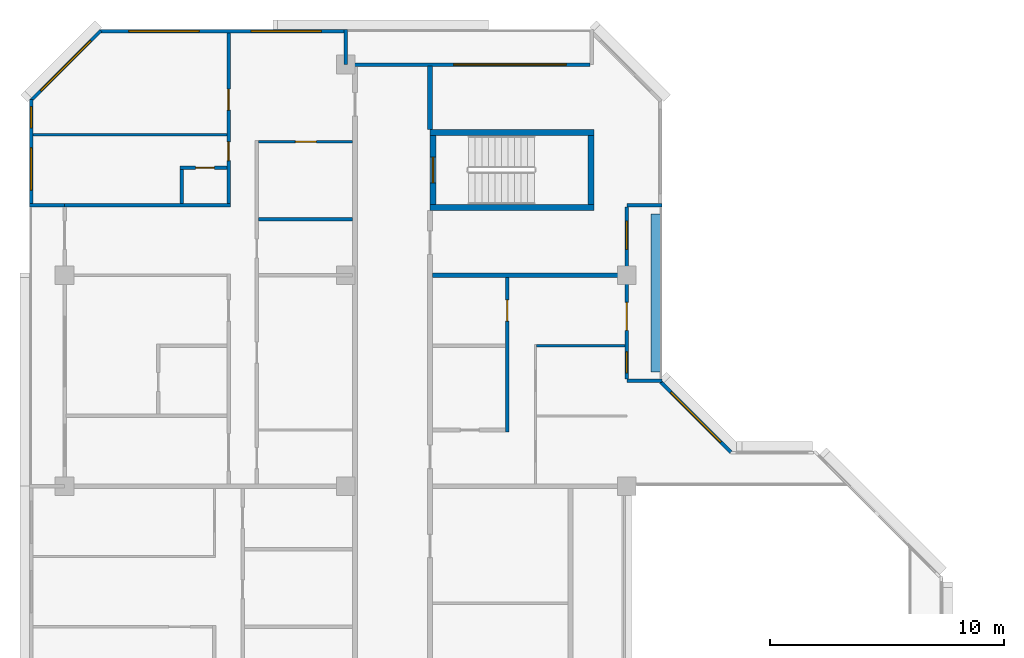
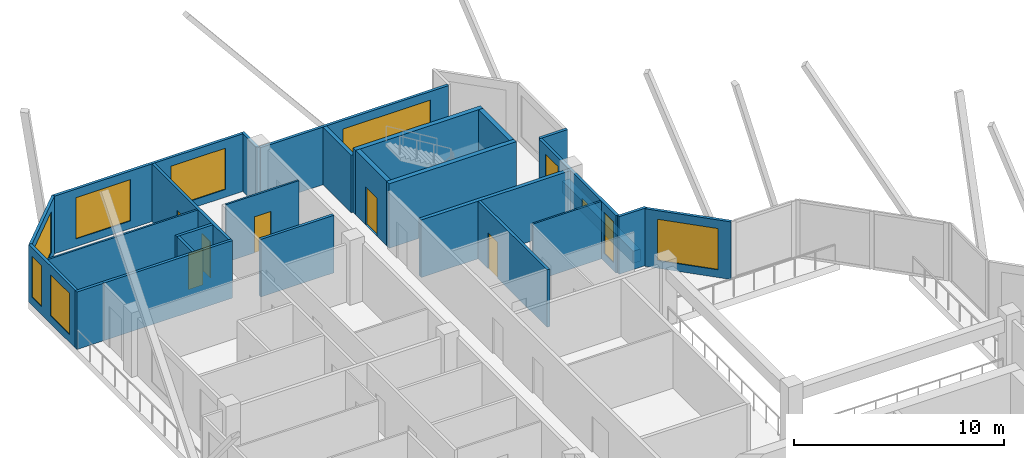
# One storey, part 10 of 13: 26 walls, 9 windows, 7 doors, 16 openings.
"""IFC4 building model written with IfcOpenShell, lengths in metres."""

from ifc_helpers import new_model, si_unit, direction, frame, frame_2d, origin, place, context, subcontext, project, spatial, rectangle, extrude, material, layer, layer_set, type_object, element, fill, save


model = new_model("IFC4")

# Units and contexts
model_context = context("Model", 3, precision=1e-05, world=origin(), true_north=direction((0.0, 1.0)))
body_context = subcontext(model_context, "Body", "Model", "MODEL_VIEW")
ifc_project = project(units=[si_unit("LENGTHUNIT", "METRE"), si_unit("AREAUNIT", "SQUARE_METRE"), si_unit("VOLUMEUNIT", "CUBIC_METRE"), si_unit("PLANEANGLEUNIT", "RADIAN"), si_unit("MASSUNIT", "GRAM", prefix="KILO")], contexts=[model_context])

# Site, building, storey
site_placement = place(None, origin())
site = spatial("IfcSite", under=ifc_project, at=site_placement, CompositionType="ELEMENT")
building_placement = place(site_placement, origin())
building = spatial("IfcBuilding", under=site, at=building_placement, Name="Chenar Terraces", CompositionType="ELEMENT")
storey_placement = place(building_placement, frame((0.0, 0.0, 310.89990234375)))
storey = spatial("IfcBuildingStorey", under=building, at=storey_placement, Name="L73", CompositionType="ELEMENT", Elevation=310.89990234375)

# Walls
ifc_material_1 = material(Name="Concrete C50/60", Category="concrete")
ifc_layer_1 = layer(ifc_material_1, 0.25)
ifc_layer_set_1 = layer_set([ifc_layer_1], Name="Concrete C50/60")
wall_type_1 = type_object("IfcWallType", Name="Core wall 250 Concrete C50/60", PredefinedType="SHEAR", material=ifc_layer_set_1)
for number, where, z_axis, x_axis, name in (
    (1, (15.60009765625, 47.89990234375, 0.0), (0.0, 0.0, 1.0), (1.0, 0.0, 0.0), "Core wall ST4_S L73"),
    (2, (15.60009765625, 51.10009765625, 0.0), (0.0, 0.0, 1.0), (1.0, 0.0, 0.0), "Core wall ST4_N L73"),
):
    element("IfcWall", number, at=place(storey_placement, frame(where, z_axis=z_axis, x_axis=x_axis)), inside=storey, type_object=wall_type_1, Name=name, PredefinedType="SHEAR", context=body_context, shape_type="SweptSolid", body=[
        extrude(rectangle(XDim=7.0, YDim=0.25, at=frame_2d((3.5, 0.0))), origin(), (0.0, 0.0, 1.0), 3.75),
    ])

# Wall, opening, door
wall_1_placement = place(storey_placement, frame((15.72509765625, 48.02490234375, 0.0), z_axis=(0.0, 0.0, 1.0), x_axis=(0.0, 1.0, 0.0)))
wall_1 = element("IfcWall", 3, at=wall_1_placement, inside=storey, type_object=wall_type_1, Name="Core wall ST4_W L73", PredefinedType="SHEAR", context=body_context, shape_type="SweptSolid", body=[
    extrude(rectangle(XDim=2.9501953125, YDim=0.25, at=frame_2d((1.47509765625, 0.0))), origin(), (0.0, 0.0, 1.0), 3.75),
])
opening_1_placement = place(wall_1_placement, frame((0.925048828125, 0.0, 0.0)))
opening_1 = element("IfcOpeningElement", 4, at=opening_1_placement, cuts=wall_1, Name="Opening DL73-C9", PredefinedType="OPENING", context=body_context, shape_type="SweptSolid", body=[
    extrude(rectangle(XDim=1.10009765625, YDim=2.199951171875, at=frame_2d((0.550048828125, 1.10009765625))), frame((0.0, 0.135009765625, 0.0), z_axis=(0.0, -1.0, 0.0), x_axis=(1.0, 0.0, 0.0)), (0.0, 0.0, 1.0), 0.27001953125),
])
ifc_material_2 = material(Name="Steel-framed fire-resisting door leaf", Category="steel")
door_type_1 = type_object("IfcDoorType", Name="Stair fire door FD60 1100 x 2200", OperationType="SINGLE_SWING_LEFT", PredefinedType="DOOR", material=ifc_material_2)
door_1_placement = place(opening_1_placement, frame((1.10009765625, 0.0, 0.0), z_axis=(0.0, 0.0, 1.0), x_axis=(-1.0, 0.0, 0.0)))
door_1 = element("IfcDoor", 5, at=door_1_placement, inside=storey, type_object=door_type_1, Name="Stair door DL73-C9", OperationType="SINGLE_SWING_RIGHT", OverallHeight=2.199951171875, OverallWidth=1.10009765625, PredefinedType="DOOR", context=body_context, shape_type="SweptSolid", body=[
    extrude(rectangle(XDim=1.10009765625, YDim=2.199951171875, at=frame_2d((0.550048828125, 1.10009765625))), frame((0.0, 0.02490234375, 0.0), z_axis=(0.0, -1.0, 0.0), x_axis=(1.0, 0.0, 0.0)), (0.0, 0.0, 1.0), 0.050048828125),
])
fill(opening_1, door_1)

# Walls
wall_2_placement = place(storey_placement, frame((22.47509765625, 48.02490234375, 0.0), z_axis=(0.0, 0.0, 1.0), x_axis=(0.0, 1.0, 0.0)))
element("IfcWall", 6, at=wall_2_placement, inside=storey, type_object=wall_type_1, Name="Core wall ST4_E L73", PredefinedType="SHEAR", context=body_context, shape_type="SweptSolid", body=[
    extrude(rectangle(XDim=2.9501953125, YDim=0.25, at=frame_2d((1.47509765625, 0.0))), origin(), (0.0, 0.0, 1.0), 3.75),
])
ifc_material_3 = material(Name="Gypsum board on steel studs with fire boards", Category="steel")
ifc_layer_2 = layer(ifc_material_3, 0.199951171875)
ifc_layer_set_2 = layer_set([ifc_layer_2], Name="Gypsum board on steel studs with fire boards")
wall_type_2 = type_object("IfcWallType", Name="Corridor wall 200", PredefinedType="PARTITIONING", material=ifc_layer_set_2)
wall_3_placement = place(storey_placement, frame((15.60009765625, 51.22509765625, 0.0), z_axis=(0.0, 0.0, 1.0), x_axis=(0.0, 1.0, 0.0)))
element("IfcWall", 7, at=wall_3_placement, inside=storey, type_object=wall_type_2, Name="Partition L73-037", PredefinedType="PARTITIONING", context=body_context, shape_type="SweptSolid", body=[
    extrude(rectangle(XDim=2.700927734375, YDim=0.199951171875, at=frame_2d((1.3505859375, 0.0))), origin(), (0.0, 0.0, 1.0), 3.35009765625),
])

# Wall, openings, windows
ifc_material_4 = material(Name="Aluminium framed glazing", Category="aluminium")
ifc_layer_3 = layer(ifc_material_4, 0.14990234375)
ifc_layer_set_3 = layer_set([ifc_layer_3], Name="Aluminium framed glazing")
wall_type_3 = type_object("IfcWallType", Name="Glazed flush facade wall 150", PredefinedType="SOLIDWALL", material=ifc_layer_set_3)
wall_4_placement = place(storey_placement, frame((11.925048828125, 55.425048828125, 0.0), z_axis=(0.0, 0.0, 1.0), x_axis=(-1.0, 0.0, 0.0)))
wall_4 = element("IfcWall", 8, at=wall_4_placement, inside=storey, type_object=wall_type_3, Name="Glazed flush facade wall", PredefinedType="SOLIDWALL", context=body_context, shape_type="SweptSolid", body=[
    extrude(rectangle(XDim=10.425048828125, YDim=0.14990234375, at=frame_2d((5.21240234375, 0.0))), origin(), (0.0, 0.0, 1.0), 3.35009765625),
])
opening_2_placement = place(wall_4_placement, frame((0.96240234375, 0.0, 0.449951171875)))
opening_2 = element("IfcOpeningElement", 9, at=opening_2_placement, cuts=wall_4, Name="Opening W300x240", PredefinedType="OPENING", context=body_context, shape_type="SweptSolid", body=[
    extrude(rectangle(XDim=3.0, YDim=2.39990234375, at=frame_2d((1.5, 1.199951171875))), frame((0.0, 0.0849609375, 0.0), z_axis=(0.0, -1.0, 0.0), x_axis=(1.0, 0.0, 0.0)), (0.0, 0.0, 1.0), 0.169921875),
])
opening_3_placement = place(wall_4_placement, frame((6.175048828125, 0.0, 0.449951171875)))
opening_3 = element("IfcOpeningElement", 10, at=opening_3_placement, cuts=wall_4, Name="Opening W300x240", PredefinedType="OPENING", context=body_context, shape_type="SweptSolid", body=[
    extrude(rectangle(XDim=3.0, YDim=2.39990234375, at=frame_2d((1.5, 1.199951171875))), frame((0.0, 0.0849609375, 0.0), z_axis=(0.0, -1.0, 0.0), x_axis=(1.0, 0.0, 0.0)), (0.0, 0.0, 1.0), 0.169921875),
])
ifc_material_5 = material(Name="Low emissivity double glazing, aluminium frame", Category="aluminium")
window_type_1 = type_object("IfcWindowType", Name="Fixed light 3000 x 2400", PartitioningType="SINGLE_PANEL", PredefinedType="WINDOW", material=ifc_material_5)
window_1_placement = place(opening_2_placement, origin())
window_1 = element("IfcWindow", 11, at=window_1_placement, inside=storey, type_object=window_type_1, Name="Window", OverallHeight=2.39990234375, OverallWidth=3.0, PartitioningType="SINGLE_PANEL", PredefinedType="WINDOW", context=body_context, shape_type="SweptSolid", body=[
    extrude(rectangle(XDim=3.0, YDim=2.39990234375, at=frame_2d((1.5, 1.199951171875))), frame((0.0, 0.030029296875, 0.0), z_axis=(0.0, -1.0, 0.0), x_axis=(1.0, 0.0, 0.0)), (0.0, 0.0, 1.0), 0.06005859375),
])
fill(opening_2, window_1)
window_2_placement = place(opening_3_placement, origin())
window_2 = element("IfcWindow", 12, at=window_2_placement, inside=storey, type_object=window_type_1, Name="Window", OverallHeight=2.39990234375, OverallWidth=3.0, PartitioningType="SINGLE_PANEL", PredefinedType="WINDOW", context=body_context, shape_type="SweptSolid", body=[
    extrude(rectangle(XDim=3.0, YDim=2.39990234375, at=frame_2d((1.5, 1.199951171875))), frame((0.0, 0.030029296875, 0.0), z_axis=(0.0, -1.0, 0.0), x_axis=(1.0, 0.0, 0.0)), (0.0, 0.0, 1.0), 0.06005859375),
])
fill(opening_3, window_2)

wall_5_placement = place(storey_placement, frame((-1.425048828125, 52.5, 0.0), z_axis=(0.0, 0.0, 1.0), x_axis=(0.0, -1.0, 0.0)))
wall_5 = element("IfcWall", 13, at=wall_5_placement, inside=storey, type_object=wall_type_3, Name="Glazed flush facade wall", PredefinedType="SOLIDWALL", context=body_context, shape_type="SweptSolid", body=[
    extrude(rectangle(XDim=4.425048828125, YDim=0.14990234375, at=frame_2d((2.21240234375, 0.0))), origin(), (0.0, 0.0, 1.0), 3.35009765625),
])
opening_4_placement = place(wall_5_placement, frame((0.300048828125, 0.0, 0.449951171875)))
opening_4 = element("IfcOpeningElement", 14, at=opening_4_placement, cuts=wall_5, Name="Opening W90x240", PredefinedType="OPENING", context=body_context, shape_type="SweptSolid", body=[
    extrude(rectangle(XDim=0.89990234375, YDim=2.39990234375, at=frame_2d((0.449951171875, 1.199951171875))), frame((0.0, 0.0849609375, 0.0), z_axis=(0.0, -1.0, 0.0), x_axis=(1.0, 0.0, 0.0)), (0.0, 0.0, 1.0), 0.169921875),
])
opening_5_placement = place(wall_5_placement, frame((2.0625, 0.0, 0.449951171875)))
opening_5 = element("IfcOpeningElement", 15, at=opening_5_placement, cuts=wall_5, Name="Opening W180x240", PredefinedType="OPENING", context=body_context, shape_type="SweptSolid", body=[
    extrude(rectangle(XDim=1.800048828125, YDim=2.39990234375, at=frame_2d((0.89990234375, 1.199951171875))), frame((0.0, 0.0849609375, 0.0), z_axis=(0.0, -1.0, 0.0), x_axis=(1.0, 0.0, 0.0)), (0.0, 0.0, 1.0), 0.169921875),
])
ifc_material_6 = material(Name="Low emissivity double glazing, aluminium frame", Category="aluminium")
window_type_2 = type_object("IfcWindowType", Name="Fixed light 1800 x 2400", PartitioningType="SINGLE_PANEL", PredefinedType="WINDOW", material=ifc_material_6)
window_3_placement = place(opening_5_placement, origin())
window_3 = element("IfcWindow", 16, at=window_3_placement, inside=storey, type_object=window_type_2, Name="Window", OverallHeight=2.39990234375, OverallWidth=1.800048828125, PartitioningType="SINGLE_PANEL", PredefinedType="WINDOW", context=body_context, shape_type="SweptSolid", body=[
    extrude(rectangle(XDim=1.800048828125, YDim=2.39990234375, at=frame_2d((0.89990234375, 1.199951171875))), frame((0.0, 0.030029296875, 0.0), z_axis=(0.0, -1.0, 0.0), x_axis=(1.0, 0.0, 0.0)), (0.0, 0.0, 1.0), 0.06005859375),
])
fill(opening_5, window_3)
ifc_material_7 = material(Name="Low emissivity double glazing, aluminium frame", Category="aluminium")
window_type_3 = type_object("IfcWindowType", Name="Fixed light 900 x 2400", PartitioningType="SINGLE_PANEL", PredefinedType="WINDOW", material=ifc_material_7)
window_4_placement = place(opening_4_placement, origin())
window_4 = element("IfcWindow", 17, at=window_4_placement, inside=storey, type_object=window_type_3, Name="Window", OverallHeight=2.39990234375, OverallWidth=0.89990234375, PartitioningType="SINGLE_PANEL", PredefinedType="WINDOW", context=body_context, shape_type="SweptSolid", body=[
    extrude(rectangle(XDim=0.89990234375, YDim=2.39990234375, at=frame_2d((0.449951171875, 1.199951171875))), frame((0.0, 0.030029296875, 0.0), z_axis=(0.0, -1.0, 0.0), x_axis=(1.0, 0.0, 0.0)), (0.0, 0.0, 1.0), 0.06005859375),
])
fill(opening_4, window_4)

# Wall, openings, windows, door
ifc_material_8 = material(Name="Aluminium framed glazing", Category="aluminium")
ifc_layer_4 = layer(ifc_material_8, 0.14990234375)
ifc_layer_set_4 = layer_set([ifc_layer_4], Name="Aluminium framed glazing")
wall_type_4 = type_object("IfcWallType", Name="Glazed loggia back wall 150", PredefinedType="SOLIDWALL", material=ifc_layer_set_4)
wall_6_placement = place(storey_placement, frame((24.0, 40.574951171875, 0.0), z_axis=(0.0, 0.0, 1.0), x_axis=(0.0, 1.0, 0.0)))
wall_6 = element("IfcWall", 18, at=wall_6_placement, inside=storey, type_object=wall_type_4, Name="Glazed loggia back wall", PredefinedType="SOLIDWALL", context=body_context, shape_type="SweptSolid", body=[
    extrude(rectangle(XDim=7.35009765625, YDim=0.14990234375, at=frame_2d((3.675048828125, 0.0))), origin(), (0.0, 0.0, 1.0), 3.35009765625),
])
opening_6_placement = place(wall_6_placement, frame((0.262451171875, 0.0, 0.449951171875)))
opening_6 = element("IfcOpeningElement", 19, at=opening_6_placement, cuts=wall_6, Name="Opening W90x240", PredefinedType="OPENING", context=body_context, shape_type="SweptSolid", body=[
    extrude(rectangle(XDim=0.89990234375, YDim=2.39990234375, at=frame_2d((0.449951171875, 1.199951171875))), frame((0.0, 0.0849609375, 0.0), z_axis=(0.0, -1.0, 0.0), x_axis=(1.0, 0.0, 0.0)), (0.0, 0.0, 1.0), 0.169921875),
])
opening_7_placement = place(wall_6_placement, frame((2.074951171875, 0.0, 0.0)))
opening_7 = element("IfcOpeningElement", 20, at=opening_7_placement, cuts=wall_6, Name="Opening DL73-G1", PredefinedType="OPENING", context=body_context, shape_type="SweptSolid", body=[
    extrude(rectangle(XDim=1.199951171875, YDim=2.39990234375, at=frame_2d((0.60009765625, 1.199951171875))), frame((0.0, 0.0849609375, 0.0), z_axis=(0.0, -1.0, 0.0), x_axis=(1.0, 0.0, 0.0)), (0.0, 0.0, 1.0), 0.169921875),
])
opening_8_placement = place(wall_6_placement, frame((5.53759765625, 0.0, 0.449951171875)))
opening_8 = element("IfcOpeningElement", 21, at=opening_8_placement, cuts=wall_6, Name="Opening W120x240", PredefinedType="OPENING", context=body_context, shape_type="SweptSolid", body=[
    extrude(rectangle(XDim=1.199951171875, YDim=2.39990234375, at=frame_2d((0.60009765625, 1.199951171875))), frame((0.0, 0.0849609375, 0.0), z_axis=(0.0, -1.0, 0.0), x_axis=(1.0, 0.0, 0.0)), (0.0, 0.0, 1.0), 0.169921875),
])
ifc_material_9 = material(Name="Low emissivity double glazing, aluminium frame", Category="aluminium")
window_type_4 = type_object("IfcWindowType", Name="Fixed light 1200 x 2400", PartitioningType="SINGLE_PANEL", PredefinedType="WINDOW", material=ifc_material_9)
window_5_placement = place(opening_8_placement, origin())
window_5 = element("IfcWindow", 22, at=window_5_placement, inside=storey, type_object=window_type_4, Name="Window", OverallHeight=2.39990234375, OverallWidth=1.199951171875, PartitioningType="SINGLE_PANEL", PredefinedType="WINDOW", context=body_context, shape_type="SweptSolid", body=[
    extrude(rectangle(XDim=1.199951171875, YDim=2.39990234375, at=frame_2d((0.60009765625, 1.199951171875))), frame((0.0, 0.030029296875, 0.0), z_axis=(0.0, -1.0, 0.0), x_axis=(1.0, 0.0, 0.0)), (0.0, 0.0, 1.0), 0.06005859375),
])
fill(opening_8, window_5)
window_6_placement = place(opening_6_placement, origin())
window_6 = element("IfcWindow", 23, at=window_6_placement, inside=storey, type_object=window_type_3, Name="Window", OverallHeight=2.39990234375, OverallWidth=0.89990234375, PartitioningType="SINGLE_PANEL", PredefinedType="WINDOW", context=body_context, shape_type="SweptSolid", body=[
    extrude(rectangle(XDim=0.89990234375, YDim=2.39990234375, at=frame_2d((0.449951171875, 1.199951171875))), frame((0.0, 0.030029296875, 0.0), z_axis=(0.0, -1.0, 0.0), x_axis=(1.0, 0.0, 0.0)), (0.0, 0.0, 1.0), 0.06005859375),
])
fill(opening_6, window_6)
ifc_material_10 = material(Name="Low emissivity double glazing, aluminium frame", Category="aluminium")
door_type_2 = type_object("IfcDoorType", Name="Loggia glazed double door 1200 x 2400", OperationType="DOUBLE_DOOR_SINGLE_SWING", PredefinedType="DOOR", material=ifc_material_10)
door_2_placement = place(opening_7_placement, frame((1.199951171875, 0.0, 0.0), z_axis=(0.0, 0.0, 1.0), x_axis=(-1.0, 0.0, 0.0)))
door_2 = element("IfcDoor", 24, at=door_2_placement, inside=storey, type_object=door_type_2, Name="Loggia glazed door", OperationType="DOUBLE_DOOR_SINGLE_SWING", OverallHeight=2.39990234375, OverallWidth=1.199951171875, PredefinedType="DOOR", context=body_context, shape_type="SweptSolid", body=[
    extrude(rectangle(XDim=1.199951171875, YDim=2.39990234375, at=frame_2d((0.60009765625, 1.199951171875))), frame((0.0, 0.02490234375, 0.0), z_axis=(0.0, -1.0, 0.0), x_axis=(1.0, 0.0, 0.0)), (0.0, 0.0, 1.0), 0.050048828125),
])
fill(opening_7, door_2)

# Wall, opening, window
wall_7_placement = place(storey_placement, frame((22.425048828125, 54.0, 0.0), z_axis=(0.0, 0.0, 1.0), x_axis=(-1.0, 0.0, 0.0)))
wall_7 = element("IfcWall", 25, at=wall_7_placement, inside=storey, type_object=wall_type_4, Name="Glazed loggia back wall", PredefinedType="SOLIDWALL", context=body_context, shape_type="SweptSolid", body=[
    extrude(rectangle(XDim=10.35009765625, YDim=0.14990234375, at=frame_2d((5.175048828125, 0.0))), origin(), (0.0, 0.0, 1.0), 3.35009765625),
])
opening_9_placement = place(wall_7_placement, frame((1.012451171875, 0.0, 0.449951171875)))
opening_9 = element("IfcOpeningElement", 26, at=opening_9_placement, cuts=wall_7, Name="Opening W480x240", PredefinedType="OPENING", context=body_context, shape_type="SweptSolid", body=[
    extrude(rectangle(XDim=4.800048828125, YDim=2.39990234375, at=frame_2d((2.39990234375, 1.199951171875))), frame((0.0, 0.0849609375, 0.0), z_axis=(0.0, -1.0, 0.0), x_axis=(1.0, 0.0, 0.0)), (0.0, 0.0, 1.0), 0.169921875),
])
ifc_material_11 = material(Name="Low emissivity double glazing, aluminium frame", Category="aluminium")
window_type_5 = type_object("IfcWindowType", Name="Fixed light 4800 x 2400", PartitioningType="SINGLE_PANEL", PredefinedType="WINDOW", material=ifc_material_11)
window_7_placement = place(opening_9_placement, origin())
window_7 = element("IfcWindow", 27, at=window_7_placement, inside=storey, type_object=window_type_5, Name="Window", OverallHeight=2.39990234375, OverallWidth=4.800048828125, PartitioningType="SINGLE_PANEL", PredefinedType="WINDOW", context=body_context, shape_type="SweptSolid", body=[
    extrude(rectangle(XDim=4.800048828125, YDim=2.39990234375, at=frame_2d((2.39990234375, 1.199951171875))), frame((0.0, 0.030029296875, 0.0), z_axis=(0.0, -1.0, 0.0), x_axis=(1.0, 0.0, 0.0)), (0.0, 0.0, 1.0), 0.06005859375),
])
fill(opening_9, window_7)

# Wall
ifc_material_12 = material(Name="Gypsum board on steel studs", Category="steel")
ifc_layer_5 = layer(ifc_material_12, 0.10009765625)
ifc_layer_set_5 = layer_set([ifc_layer_5], Name="Gypsum board on steel studs")
wall_type_5 = type_object("IfcWallType", Name="Gypsum partition 100", PredefinedType="PARTITIONING", material=ifc_layer_set_5)
wall_8_placement = place(storey_placement, frame((-1.35107421875, 51.0, 0.0), z_axis=(0.0, 0.0, 1.0), x_axis=(1.0, 0.0, 0.0)))
element("IfcWall", 28, at=wall_8_placement, inside=storey, type_object=wall_type_5, Name="Partition L73-001", PredefinedType="PARTITIONING", context=body_context, shape_type="SweptSolid", body=[
    extrude(rectangle(XDim=8.276123046875, YDim=0.10009765625, at=frame_2d((4.13818359375, 0.0))), origin(), (0.0, 0.0, 1.0), 3.35009765625),
])

# Wall, opening, door
wall_9_placement = place(storey_placement, frame((8.27490234375, 50.699951171875, 0.0), z_axis=(0.0, 0.0, 1.0), x_axis=(1.0, 0.0, 0.0)))
wall_9 = element("IfcWall", 29, at=wall_9_placement, inside=storey, type_object=wall_type_5, Name="Partition L73-029", PredefinedType="PARTITIONING", context=body_context, shape_type="SweptSolid", body=[
    extrude(rectangle(XDim=4.025146484375, YDim=0.10009765625, at=frame_2d((2.0126953125, 0.0))), origin(), (0.0, 0.0, 1.0), 3.35009765625),
])
opening_10_placement = place(wall_9_placement, frame((1.574951171875, 0.0, 0.0)))
opening_10 = element("IfcOpeningElement", 30, at=opening_10_placement, cuts=wall_9, Name="Opening DL73-28", PredefinedType="OPENING", context=body_context, shape_type="SweptSolid", body=[
    extrude(rectangle(XDim=0.89990234375, YDim=2.10009765625, at=frame_2d((0.449951171875, 1.050048828125))), frame((0.0, 0.06005859375, 0.0), z_axis=(0.0, -1.0, 0.0), x_axis=(1.0, 0.0, 0.0)), (0.0, 0.0, 1.0), 0.1201171875),
])
ifc_material_13 = material(Name="Veneered timber door leaf", Category="wood")
door_type_3 = type_object("IfcDoorType", Name="Door 900 x 2100", OperationType="SINGLE_SWING_LEFT", PredefinedType="DOOR", material=ifc_material_13)
door_3_placement = place(opening_10_placement, frame((0.89990234375, 0.0, 0.0), z_axis=(0.0, 0.0, 1.0), x_axis=(-1.0, 0.0, 0.0)))
door_3 = element("IfcDoor", 31, at=door_3_placement, inside=storey, type_object=door_type_3, Name="Door DL73-28", OperationType="SINGLE_SWING_LEFT", OverallHeight=2.10009765625, OverallWidth=0.89990234375, PredefinedType="DOOR", context=body_context, shape_type="SweptSolid", body=[
    extrude(rectangle(XDim=0.89990234375, YDim=2.10009765625, at=frame_2d((0.449951171875, 1.050048828125))), frame((0.0, 0.02490234375, 0.0), z_axis=(0.0, -1.0, 0.0), x_axis=(1.0, 0.0, 0.0)), (0.0, 0.0, 1.0), 0.050048828125),
])
fill(opening_10, door_3)

# Walls
wall_10_placement = place(storey_placement, frame((20.14990234375, 42.0, 0.0), z_axis=(0.0, 0.0, 1.0), x_axis=(1.0, 0.0, 0.0)))
element("IfcWall", 32, at=wall_10_placement, inside=storey, type_object=wall_type_5, Name="Partition L73-049", PredefinedType="PARTITIONING", context=body_context, shape_type="SweptSolid", body=[
    extrude(rectangle(XDim=3.776123046875, YDim=0.10009765625, at=frame_2d((1.88818359375, 0.0))), origin(), (0.0, 0.0, 1.0), 3.35009765625),
])
ifc_material_14 = material(Name="Terracotta cladding on insulated backing", Category="masonry")
ifc_layer_6 = layer(ifc_material_14, 0.14990234375)
ifc_layer_set_6 = layer_set([ifc_layer_6], Name="Terracotta cladding on insulated backing")
wall_type_6 = type_object("IfcWallType", Name="Loggia return wall 150", PredefinedType="SOLIDWALL", material=ifc_layer_set_6)
for number, where, z_axis, x_axis, name in (
    (33, (25.5, 40.5, 0.0), (0.0, 0.0, 1.0), (-1.0, 0.0, 0.0), "Loggia return wall"),
    (34, (25.5, 48.0, 0.0), (0.0, 0.0, 1.0), (-1.0, 0.0, 0.0), "Loggia return wall"),
    (35, (12.0, 55.5, 0.0), (0.0, 0.0, 1.0), (0.0, -1.0, 0.0), "Loggia return wall"),
    (36, (-1.5, 48.0, 0.0), (0.0, 0.0, 1.0), (1.0, 0.0, 0.0), "Loggia return wall"),
):
    element("IfcWall", number, at=place(storey_placement, frame(where, z_axis=z_axis, x_axis=x_axis)), inside=storey, type_object=wall_type_6, Name=name, PredefinedType="SOLIDWALL", context=body_context, shape_type="SweptSolid", body=[
        extrude(rectangle(XDim=1.5, YDim=0.14990234375, at=frame_2d((0.75, 0.0))), origin(), (0.0, 0.0, 1.0), 3.35009765625),
    ])

# Wall, opening, window
ifc_material_15 = material(Name="Terracotta cladding on insulated backing", Category="masonry")
ifc_layer_7 = layer(ifc_material_15, 0.14990234375)
ifc_layer_set_7 = layer_set([ifc_layer_7], Name="Terracotta cladding on insulated backing")
wall_type_7 = type_object("IfcWallType", Name="Terracotta rainscreen wall 150", PredefinedType="SOLIDWALL", material=ifc_layer_set_7)
wall_11_placement = place(storey_placement, frame((28.447021484375, 37.447021484375, 0.0), z_axis=(0.0, 0.0, 1.0), x_axis=(-0.707106781187, 0.707106781187, 0.0)))
wall_11 = element("IfcWall", 37, at=wall_11_placement, inside=storey, type_object=wall_type_7, Name="Terracotta rainscreen wall", PredefinedType="SOLIDWALL", context=body_context, shape_type="SweptSolid", body=[
    extrude(rectangle(XDim=4.24267578125, YDim=0.14990234375, at=frame_2d((2.121337890625, 0.0))), origin(), (0.0, 0.0, 1.0), 3.35009765625),
])
opening_11_placement = place(wall_11_placement, frame((0.621337890625, 0.0, 0.449951171875)))
opening_11 = element("IfcOpeningElement", 38, at=opening_11_placement, cuts=wall_11, Name="Opening W300x240", PredefinedType="OPENING", context=body_context, shape_type="SweptSolid", body=[
    extrude(rectangle(XDim=3.0, YDim=2.39990234375, at=frame_2d((1.5, 1.199951171875))), frame((0.0, 0.0849609375, 0.0), z_axis=(0.0, -1.0, 0.0), x_axis=(1.0, 0.0, 0.0)), (0.0, 0.0, 1.0), 0.169921875),
])
window_8_placement = place(opening_11_placement, origin())
window_8 = element("IfcWindow", 39, at=window_8_placement, inside=storey, type_object=window_type_1, Name="Window", OverallHeight=2.39990234375, OverallWidth=3.0, PartitioningType="SINGLE_PANEL", PredefinedType="WINDOW", context=body_context, shape_type="SweptSolid", body=[
    extrude(rectangle(XDim=3.0, YDim=2.39990234375, at=frame_2d((1.5, 1.199951171875))), frame((0.0, 0.030029296875, 0.0), z_axis=(0.0, -1.0, 0.0), x_axis=(1.0, 0.0, 0.0)), (0.0, 0.0, 1.0), 0.06005859375),
])
fill(opening_11, window_8)

wall_12_placement = place(storey_placement, frame((1.552978515625, 55.447021484375, 0.0), z_axis=(0.0, 0.0, 1.0), x_axis=(-0.707106781187, -0.707106781187, 0.0)))
wall_12 = element("IfcWall", 40, at=wall_12_placement, inside=storey, type_object=wall_type_7, Name="Terracotta rainscreen wall", PredefinedType="SOLIDWALL", context=body_context, shape_type="SweptSolid", body=[
    extrude(rectangle(XDim=4.24267578125, YDim=0.14990234375, at=frame_2d((2.121337890625, 0.0))), origin(), (0.0, 0.0, 1.0), 3.35009765625),
])
opening_12_placement = place(wall_12_placement, frame((0.621337890625, 0.0, 0.449951171875)))
opening_12 = element("IfcOpeningElement", 41, at=opening_12_placement, cuts=wall_12, Name="Opening W300x240", PredefinedType="OPENING", context=body_context, shape_type="SweptSolid", body=[
    extrude(rectangle(XDim=3.0, YDim=2.39990234375, at=frame_2d((1.5, 1.199951171875))), frame((0.0, 0.0849609375, 0.0), z_axis=(0.0, -1.0, 0.0), x_axis=(1.0, 0.0, 0.0)), (0.0, 0.0, 1.0), 0.169921875),
])
window_9_placement = place(opening_12_placement, origin())
window_9 = element("IfcWindow", 42, at=window_9_placement, inside=storey, type_object=window_type_1, Name="Window", OverallHeight=2.39990234375, OverallWidth=3.0, PartitioningType="SINGLE_PANEL", PredefinedType="WINDOW", context=body_context, shape_type="SweptSolid", body=[
    extrude(rectangle(XDim=3.0, YDim=2.39990234375, at=frame_2d((1.5, 1.199951171875))), frame((0.0, 0.030029296875, 0.0), z_axis=(0.0, -1.0, 0.0), x_axis=(1.0, 0.0, 0.0)), (0.0, 0.0, 1.0), 0.06005859375),
])
fill(opening_12, window_9)

# Walls
ifc_material_16 = material(Name="Twin gypsum board on steel studs with mineral wool", Category="steel")
ifc_layer_8 = layer(ifc_material_16, 0.199951171875)
ifc_layer_set_8 = layer_set([ifc_layer_8], Name="Twin gypsum board on steel studs with mineral wool")
wall_type_8 = type_object("IfcWallType", Name="Unit demising wall 200", PredefinedType="PARTITIONING", material=ifc_layer_set_8)
wall_13_placement = place(storey_placement, frame((15.699951171875, 45.0, 0.0), z_axis=(0.0, 0.0, 1.0), x_axis=(1.0, 0.0, 0.0)))
element("IfcWall", 43, at=wall_13_placement, inside=storey, type_object=wall_type_8, Name="Partition L73-043", PredefinedType="PARTITIONING", context=body_context, shape_type="SweptSolid", body=[
    extrude(rectangle(XDim=8.22607421875, YDim=0.199951171875, at=frame_2d((4.113037109375, 0.0))), origin(), (0.0, 0.0, 1.0), 3.35009765625),
])
ifc_material_17 = material(Name="GRP planter trough")
ifc_layer_9 = layer(ifc_material_17, 0.39990234375)
ifc_layer_set_9 = layer_set([ifc_layer_9], Name="GRP planter trough")
wall_type_9 = type_object("IfcWallType", Name="Vertical greenery planter 400", PredefinedType="SOLIDWALL", material=ifc_layer_set_9)
wall_14_placement = place(storey_placement, frame((25.22900390625, 40.875, 0.0), z_axis=(0.0, 0.0, 1.0), x_axis=(0.0, 1.0, 0.0)))
element("IfcWall", 44, at=wall_14_placement, inside=storey, type_object=wall_type_9, Name="Vertical greenery planter", PredefinedType="SOLIDWALL", context=body_context, shape_type="SweptSolid", body=[
    extrude(rectangle(XDim=6.75, YDim=0.39990234375, at=frame_2d((3.375, 0.0))), origin(), (0.0, 0.0, 1.0), 0.7001953125),
])
ifc_material_18 = material(Name="Moisture-resistant gypsum board on steel studs", Category="steel")
ifc_layer_10 = layer(ifc_material_18, 0.14990234375)
ifc_layer_set_10 = layer_set([ifc_layer_10], Name="Moisture-resistant gypsum board on steel studs")
wall_type_10 = type_object("IfcWallType", Name="Wet-room partition 150", PredefinedType="PARTITIONING", material=ifc_layer_set_10)
wall_15_placement = place(storey_placement, frame((0.0, 48.0, 0.0), z_axis=(0.0, 0.0, 1.0), x_axis=(1.0, 0.0, 0.0)))
element("IfcWall", 45, at=wall_15_placement, inside=storey, type_object=wall_type_10, Name="Partition L73-005", PredefinedType="PARTITIONING", context=body_context, shape_type="SweptSolid", body=[
    extrude(rectangle(XDim=7.074951171875, YDim=0.14990234375, at=frame_2d((3.53759765625, 0.0))), origin(), (0.0, 0.0, 1.0), 3.35009765625),
])

# Wall, opening, door
wall_16_placement = place(storey_placement, frame((4.925048828125, 49.60009765625, 0.0), z_axis=(0.0, 0.0, 1.0), x_axis=(1.0, 0.0, 0.0)))
wall_16 = element("IfcWall", 46, at=wall_16_placement, inside=storey, type_object=wall_type_10, Name="Partition L73-015", PredefinedType="PARTITIONING", context=body_context, shape_type="SweptSolid", body=[
    extrude(rectangle(XDim=2.0, YDim=0.14990234375, at=frame_2d((1.0, 0.0))), origin(), (0.0, 0.0, 1.0), 3.35009765625),
])
opening_13_placement = place(wall_16_placement, frame((0.675048828125, 0.0, 0.0)))
opening_13 = element("IfcOpeningElement", 47, at=opening_13_placement, cuts=wall_16, Name="Opening DL73-25", PredefinedType="OPENING", context=body_context, shape_type="SweptSolid", body=[
    extrude(rectangle(XDim=0.800048828125, YDim=2.10009765625, at=frame_2d((0.39990234375, 1.050048828125))), frame((0.0, 0.0849609375, 0.0), z_axis=(0.0, -1.0, 0.0), x_axis=(1.0, 0.0, 0.0)), (0.0, 0.0, 1.0), 0.169921875),
])
ifc_material_19 = material(Name="Veneered timber door leaf", Category="wood")
door_type_4 = type_object("IfcDoorType", Name="Door 800 x 2100", OperationType="SINGLE_SWING_LEFT", PredefinedType="DOOR", material=ifc_material_19)
door_4_placement = place(opening_13_placement, frame((0.800048828125, 0.0, 0.0), z_axis=(0.0, 0.0, 1.0), x_axis=(-1.0, 0.0, 0.0)))
door_4 = element("IfcDoor", 48, at=door_4_placement, inside=storey, type_object=door_type_4, Name="Door DL73-25", OperationType="SINGLE_SWING_RIGHT", OverallHeight=2.10009765625, OverallWidth=0.800048828125, PredefinedType="DOOR", context=body_context, shape_type="SweptSolid", body=[
    extrude(rectangle(XDim=0.800048828125, YDim=2.10009765625, at=frame_2d((0.39990234375, 1.050048828125))), frame((0.0, 0.02490234375, 0.0), z_axis=(0.0, -1.0, 0.0), x_axis=(1.0, 0.0, 0.0)), (0.0, 0.0, 1.0), 0.050048828125),
])
fill(opening_13, door_4)

# Wall
wall_17_placement = place(storey_placement, frame((5.0, 48.074951171875, 0.0), z_axis=(0.0, 0.0, 1.0), x_axis=(0.0, 1.0, 0.0)))
element("IfcWall", 49, at=wall_17_placement, inside=storey, type_object=wall_type_10, Name="Partition L73-016", PredefinedType="PARTITIONING", context=body_context, shape_type="SweptSolid", body=[
    extrude(rectangle(XDim=1.449951171875, YDim=0.14990234375, at=frame_2d((0.72509765625, 0.0))), origin(), (0.0, 0.0, 1.0), 3.35009765625),
])

# Wall, openings, doors
wall_18_placement = place(storey_placement, frame((7.0, 48.074951171875, 0.0), z_axis=(0.0, 0.0, 1.0), x_axis=(0.0, 1.0, 0.0)))
wall_18 = element("IfcWall", 50, at=wall_18_placement, inside=storey, type_object=wall_type_10, Name="Partition L73-020", PredefinedType="PARTITIONING", context=body_context, shape_type="SweptSolid", body=[
    extrude(rectangle(XDim=7.275146484375, YDim=0.14990234375, at=frame_2d((3.6376953125, 0.0))), origin(), (0.0, 0.0, 1.0), 3.35009765625),
])
opening_14_placement = place(wall_18_placement, frame((3.97509765625, 0.0, 0.0)))
opening_14 = element("IfcOpeningElement", 51, at=opening_14_placement, cuts=wall_18, Name="Opening DL73-19", PredefinedType="OPENING", context=body_context, shape_type="SweptSolid", body=[
    extrude(rectangle(XDim=0.89990234375, YDim=2.10009765625, at=frame_2d((0.449951171875, 1.050048828125))), frame((0.0, 0.0849609375, 0.0), z_axis=(0.0, -1.0, 0.0), x_axis=(1.0, 0.0, 0.0)), (0.0, 0.0, 1.0), 0.169921875),
])
opening_15_placement = place(wall_18_placement, frame((1.824951171875, 0.0, 0.0)))
opening_15 = element("IfcOpeningElement", 52, at=opening_15_placement, cuts=wall_18, Name="Opening DL73-24", PredefinedType="OPENING", context=body_context, shape_type="SweptSolid", body=[
    extrude(rectangle(XDim=0.800048828125, YDim=2.10009765625, at=frame_2d((0.39990234375, 1.050048828125))), frame((0.0, 0.0849609375, 0.0), z_axis=(0.0, -1.0, 0.0), x_axis=(1.0, 0.0, 0.0)), (0.0, 0.0, 1.0), 0.169921875),
])
door_5_placement = place(opening_15_placement, origin())
door_5 = element("IfcDoor", 53, at=door_5_placement, inside=storey, type_object=door_type_4, Name="Door DL73-24", OperationType="SINGLE_SWING_RIGHT", OverallHeight=2.10009765625, OverallWidth=0.800048828125, PredefinedType="DOOR", context=body_context, shape_type="SweptSolid", body=[
    extrude(rectangle(XDim=0.800048828125, YDim=2.10009765625, at=frame_2d((0.39990234375, 1.050048828125))), frame((0.0, 0.02490234375, 0.0), z_axis=(0.0, -1.0, 0.0), x_axis=(1.0, 0.0, 0.0)), (0.0, 0.0, 1.0), 0.050048828125),
])
fill(opening_15, door_5)
door_6_placement = place(opening_14_placement, origin())
door_6 = element("IfcDoor", 54, at=door_6_placement, inside=storey, type_object=door_type_3, Name="Door DL73-19", OperationType="SINGLE_SWING_LEFT", OverallHeight=2.10009765625, OverallWidth=0.89990234375, PredefinedType="DOOR", context=body_context, shape_type="SweptSolid", body=[
    extrude(rectangle(XDim=0.89990234375, YDim=2.10009765625, at=frame_2d((0.449951171875, 1.050048828125))), frame((0.0, 0.02490234375, 0.0), z_axis=(0.0, -1.0, 0.0), x_axis=(1.0, 0.0, 0.0)), (0.0, 0.0, 1.0), 0.050048828125),
])
fill(opening_14, door_6)

# Wall
wall_19_placement = place(storey_placement, frame((8.27490234375, 47.39990234375, 0.0), z_axis=(0.0, 0.0, 1.0), x_axis=(1.0, 0.0, 0.0)))
element("IfcWall", 55, at=wall_19_placement, inside=storey, type_object=wall_type_10, Name="Partition L73-028", PredefinedType="PARTITIONING", context=body_context, shape_type="SweptSolid", body=[
    extrude(rectangle(XDim=4.025146484375, YDim=0.14990234375, at=frame_2d((2.0126953125, 0.0))), origin(), (0.0, 0.0, 1.0), 3.35009765625),
])

# Wall, opening, door
wall_20_placement = place(storey_placement, frame((18.89990234375, 38.324951171875, 0.0), z_axis=(0.0, 0.0, 1.0), x_axis=(0.0, 1.0, 0.0)))
wall_20 = element("IfcWall", 56, at=wall_20_placement, inside=storey, type_object=wall_type_10, Name="Partition L73-046", PredefinedType="PARTITIONING", context=body_context, shape_type="SweptSolid", body=[
    extrude(rectangle(XDim=6.574951171875, YDim=0.14990234375, at=frame_2d((3.28759765625, 0.0))), origin(), (0.0, 0.0, 1.0), 3.35009765625),
])
opening_16_placement = place(wall_20_placement, frame((4.72509765625, 0.0, 0.0)))
opening_16 = element("IfcOpeningElement", 57, at=opening_16_placement, cuts=wall_20, Name="Opening DL73-16", PredefinedType="OPENING", context=body_context, shape_type="SweptSolid", body=[
    extrude(rectangle(XDim=0.89990234375, YDim=2.10009765625, at=frame_2d((0.449951171875, 1.050048828125))), frame((0.0, 0.0849609375, 0.0), z_axis=(0.0, -1.0, 0.0), x_axis=(1.0, 0.0, 0.0)), (0.0, 0.0, 1.0), 0.169921875),
])
door_7_placement = place(opening_16_placement, origin())
door_7 = element("IfcDoor", 58, at=door_7_placement, inside=storey, type_object=door_type_3, Name="Door DL73-16", OperationType="SINGLE_SWING_LEFT", OverallHeight=2.10009765625, OverallWidth=0.89990234375, PredefinedType="DOOR", context=body_context, shape_type="SweptSolid", body=[
    extrude(rectangle(XDim=0.89990234375, YDim=2.10009765625, at=frame_2d((0.449951171875, 1.050048828125))), frame((0.0, 0.02490234375, 0.0), z_axis=(0.0, -1.0, 0.0), x_axis=(1.0, 0.0, 0.0)), (0.0, 0.0, 1.0), 0.050048828125),
])
fill(opening_16, door_7)

save(model, "model.ifc")
